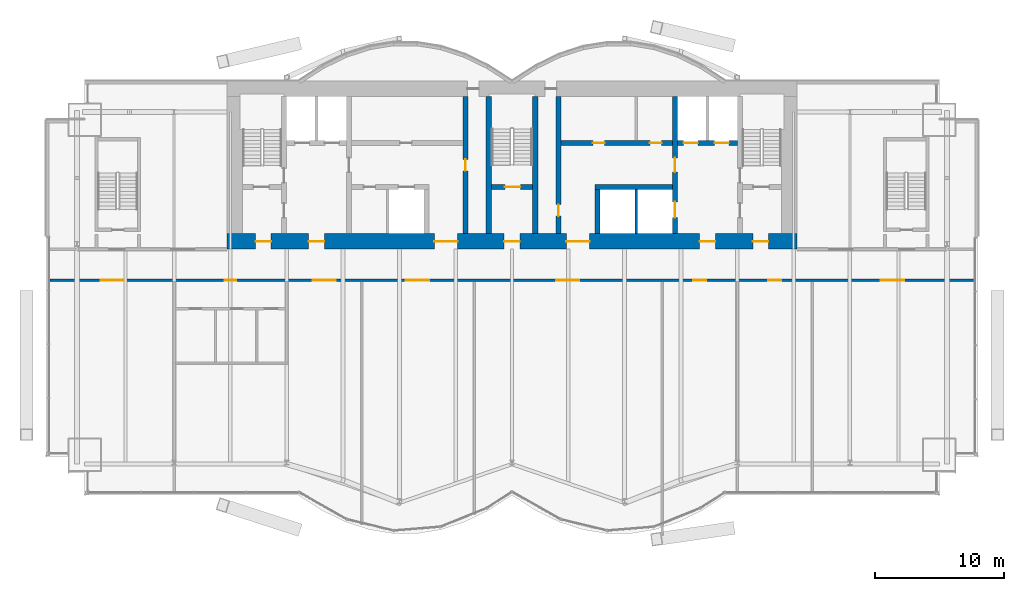
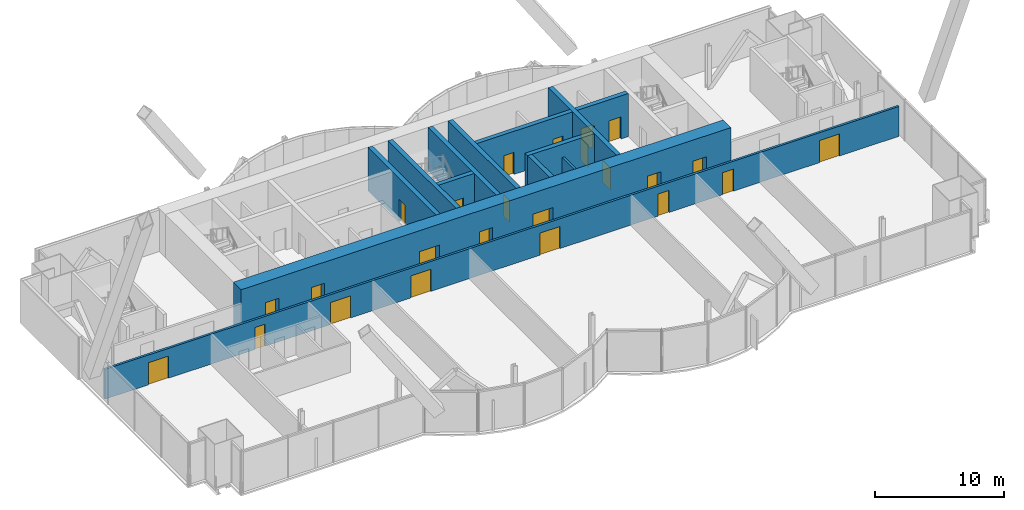
# One storey, part 19 of 24: 24 doors, 12 walls, 24 openings.
"""IFC4 building model written with IfcOpenShell, lengths in metres."""

from ifc_helpers import new_model, si_unit, direction, frame, frame_2d, origin, place, context, subcontext, project, spatial, rectangle, extrude, material, layer, layer_set, type_object, element, fill, save


model = new_model("IFC4")

# Units and contexts
model_context = context("Model", 3, precision=1e-05, world=origin(), true_north=direction((0.0, 1.0)))
body_context = subcontext(model_context, "Body", "Model", "MODEL_VIEW")
ifc_project = project(units=[si_unit("LENGTHUNIT", "METRE"), si_unit("AREAUNIT", "SQUARE_METRE"), si_unit("VOLUMEUNIT", "CUBIC_METRE"), si_unit("PLANEANGLEUNIT", "RADIAN"), si_unit("MASSUNIT", "GRAM", prefix="KILO")], contexts=[model_context])

# Site, building, storey
site_placement = place(None, origin())
site = spatial("IfcSite", under=ifc_project, at=site_placement, CompositionType="ELEMENT")
building_placement = place(site_placement, origin())
building = spatial("IfcBuilding", under=site, at=building_placement, Name="Bicima Exchange Tower", CompositionType="ELEMENT")
storey_placement = place(building_placement, frame((0.0, 0.0, 211.39990234375)))
storey = spatial("IfcBuildingStorey", under=building, at=storey_placement, Name="L47", CompositionType="ELEMENT", Elevation=211.39990234375)

# Wall
ifc_material_1 = material(Name="Gypsum board partition")
ifc_layer_1 = layer(ifc_material_1, 0.199951171875)
ifc_layer_set_1 = layer_set([ifc_layer_1], Name="Gypsum board partition")
wall_type_1 = type_object("IfcWallType", Name="Fire-rated gypsum partition 200 EI120", PredefinedType="PARTITIONING", material=ifc_layer_set_1)
wall_1_placement = place(storey_placement, frame((9.60009765625, -11.800048828125, 0.0), z_axis=(0.0, 0.0, 1.0), x_axis=(0.0, 1.0, 0.0)))
element("IfcWall", 1, at=wall_1_placement, inside=storey, type_object=wall_type_1, Name="partition wall 18", PredefinedType="PARTITIONING", context=body_context, shape_type="SweptSolid", body=[
    extrude(rectangle(XDim=3.400146484375, YDim=0.199951171875, at=frame_2d((1.7001953125, 0.0))), origin(), (0.0, 0.0, 1.0), 2.840576171875),
])

# Wall, openings, doors
ifc_layer_2 = layer(ifc_material_1, 0.199951171875)
ifc_layer_set_2 = layer_set([ifc_layer_2], Name="Gypsum board partition")
wall_type_2 = type_object("IfcWallType", Name="Fire-rated gypsum partition 200 EI60", PredefinedType="PARTITIONING", material=ifc_layer_set_2)
wall_2_placement = place(storey_placement, frame((-35.679931640625, -15.39990234375, 0.0), z_axis=(0.0, 0.0, 1.0), x_axis=(1.0, 0.0, 0.0)))
wall_2 = element("IfcWall", 2, at=wall_2_placement, inside=storey, type_object=wall_type_2, Name="partition wall 3", PredefinedType="PARTITIONING", context=body_context, shape_type="SweptSolid", body=[
    extrude(rectangle(XDim=71.35986328125, YDim=0.199951171875, at=frame_2d((35.679931640625, 0.0))), origin(), (0.0, 0.0, 1.0), 2.840576171875),
])
opening_1_placement = place(wall_2_placement, frame((3.89990234375, 0.0, 0.0)))
opening_1 = element("IfcOpeningElement", 3, at=opening_1_placement, cuts=wall_2, Name="Opening L47-007", PredefinedType="OPENING", context=body_context, shape_type="SweptSolid", body=[
    extrude(rectangle(XDim=1.800048828125, YDim=2.10009765625, at=frame_2d((0.89990234375, 1.050048828125))), frame((0.0, 0.11181640625, 0.0), z_axis=(0.0, -1.0, 0.0), x_axis=(1.0, 0.0, 0.0)), (0.0, 0.0, 1.0), 0.223876953125),
])
opening_2_placement = place(wall_2_placement, frame((13.47998046875, 0.0, 0.0)))
opening_2 = element("IfcOpeningElement", 4, at=opening_2_placement, cuts=wall_2, Name="Opening L47-008", PredefinedType="OPENING", context=body_context, shape_type="SweptSolid", body=[
    extrude(rectangle(XDim=0.89990234375, YDim=2.10009765625, at=frame_2d((0.449951171875, 1.050048828125))), frame((0.0, 0.11181640625, 0.0), z_axis=(0.0, -1.0, 0.0), x_axis=(1.0, 0.0, 0.0)), (0.0, 0.0, 1.0), 0.223876953125),
])
opening_3_placement = place(wall_2_placement, frame((20.280029296875, 0.0, 0.0)))
opening_3 = element("IfcOpeningElement", 5, at=opening_3_placement, cuts=wall_2, Name="Opening L47-012", PredefinedType="OPENING", context=body_context, shape_type="SweptSolid", body=[
    extrude(rectangle(XDim=1.800048828125, YDim=2.10009765625, at=frame_2d((0.89990234375, 1.050048828125))), frame((0.0, 0.11181640625, 0.0), z_axis=(0.0, -1.0, 0.0), x_axis=(1.0, 0.0, 0.0)), (0.0, 0.0, 1.0), 0.223876953125),
])
opening_4_placement = place(wall_2_placement, frame((27.47998046875, 0.0, 0.0)))
opening_4 = element("IfcOpeningElement", 6, at=opening_4_placement, cuts=wall_2, Name="Opening L47-013", PredefinedType="OPENING", context=body_context, shape_type="SweptSolid", body=[
    extrude(rectangle(XDim=1.800048828125, YDim=2.10009765625, at=frame_2d((0.89990234375, 1.050048828125))), frame((0.0, 0.11181640625, 0.0), z_axis=(0.0, -1.0, 0.0), x_axis=(1.0, 0.0, 0.0)), (0.0, 0.0, 1.0), 0.223876953125),
])
opening_5_placement = place(wall_2_placement, frame((39.080078125, 0.0, 0.0)))
opening_5 = element("IfcOpeningElement", 7, at=opening_5_placement, cuts=wall_2, Name="Opening L47-014", PredefinedType="OPENING", context=body_context, shape_type="SweptSolid", body=[
    extrude(rectangle(XDim=1.800048828125, YDim=2.10009765625, at=frame_2d((0.89990234375, 1.050048828125))), frame((0.0, 0.11181640625, 0.0), z_axis=(0.0, -1.0, 0.0), x_axis=(1.0, 0.0, 0.0)), (0.0, 0.0, 1.0), 0.223876953125),
])
opening_6_placement = place(wall_2_placement, frame((49.679931640625, 0.0, 0.0)))
opening_6 = element("IfcOpeningElement", 8, at=opening_6_placement, cuts=wall_2, Name="Opening L47-015", PredefinedType="OPENING", context=body_context, shape_type="SweptSolid", body=[
    extrude(rectangle(XDim=1.0, YDim=2.10009765625, at=frame_2d((0.5, 1.050048828125))), frame((0.0, 0.11181640625, 0.0), z_axis=(0.0, -1.0, 0.0), x_axis=(1.0, 0.0, 0.0)), (0.0, 0.0, 1.0), 0.223876953125),
])
opening_7_placement = place(wall_2_placement, frame((55.47998046875, 0.0, 0.0)))
opening_7 = element("IfcOpeningElement", 9, at=opening_7_placement, cuts=wall_2, Name="Opening L47-016", PredefinedType="OPENING", context=body_context, shape_type="SweptSolid", body=[
    extrude(rectangle(XDim=1.0, YDim=2.10009765625, at=frame_2d((0.5, 1.050048828125))), frame((0.0, 0.11181640625, 0.0), z_axis=(0.0, -1.0, 0.0), x_axis=(1.0, 0.0, 0.0)), (0.0, 0.0, 1.0), 0.223876953125),
])
opening_8_placement = place(wall_2_placement, frame((64.179931640625, 0.0, 0.0)))
opening_8 = element("IfcOpeningElement", 10, at=opening_8_placement, cuts=wall_2, Name="Opening L47-017", PredefinedType="OPENING", context=body_context, shape_type="SweptSolid", body=[
    extrude(rectangle(XDim=1.800048828125, YDim=2.10009765625, at=frame_2d((0.89990234375, 1.050048828125))), frame((0.0, 0.11181640625, 0.0), z_axis=(0.0, -1.0, 0.0), x_axis=(1.0, 0.0, 0.0)), (0.0, 0.0, 1.0), 0.223876953125),
])
ifc_material_2 = material(Name="Steel fire door leaf", Category="steel")
door_type_1 = type_object("IfcDoorType", Name="Door 1000 swing FD30S", OperationType="SINGLE_SWING_LEFT", PredefinedType="DOOR", material=ifc_material_2)
door_1_placement = place(opening_6_placement, frame((1.0, 0.0, 0.0), z_axis=(0.0, 0.0, 1.0), x_axis=(-1.0, 0.0, 0.0)))
door_1 = element("IfcDoor", 11, at=door_1_placement, inside=storey, type_object=door_type_1, Name="Door", OperationType="SINGLE_SWING_RIGHT", OverallHeight=2.10009765625, OverallWidth=1.0, PredefinedType="DOOR", context=body_context, shape_type="SweptSolid", body=[
    extrude(rectangle(XDim=1.0, YDim=2.10009765625, at=frame_2d((0.5, 1.050048828125))), frame((0.0, 0.02490234375, 0.0), z_axis=(0.0, -1.0, 0.0), x_axis=(1.0, 0.0, 0.0)), (0.0, 0.0, 1.0), 0.050048828125),
])
fill(opening_6, door_1)
door_2_placement = place(opening_7_placement, frame((1.0, 0.0, 0.0), z_axis=(0.0, 0.0, 1.0), x_axis=(-1.0, 0.0, 0.0)))
door_2 = element("IfcDoor", 12, at=door_2_placement, inside=storey, type_object=door_type_1, Name="Door", OperationType="SINGLE_SWING_LEFT", OverallHeight=2.10009765625, OverallWidth=1.0, PredefinedType="DOOR", context=body_context, shape_type="SweptSolid", body=[
    extrude(rectangle(XDim=1.0, YDim=2.10009765625, at=frame_2d((0.5, 1.050048828125))), frame((0.0, 0.02490234375, 0.0), z_axis=(0.0, -1.0, 0.0), x_axis=(1.0, 0.0, 0.0)), (0.0, 0.0, 1.0), 0.050048828125),
])
fill(opening_7, door_2)
door_type_2 = type_object("IfcDoorType", Name="Door 1800 double swing FD30S", OperationType="DOUBLE_DOOR_SINGLE_SWING", PredefinedType="DOOR", material=ifc_material_2)
door_3_placement = place(opening_1_placement, origin())
door_3 = element("IfcDoor", 13, at=door_3_placement, inside=storey, type_object=door_type_2, Name="Door", OperationType="SINGLE_SWING_LEFT", OverallHeight=2.10009765625, OverallWidth=1.800048828125, PredefinedType="DOOR", context=body_context, shape_type="SweptSolid", body=[
    extrude(rectangle(XDim=1.800048828125, YDim=2.10009765625, at=frame_2d((0.89990234375, 1.050048828125))), frame((0.0, 0.02490234375, 0.0), z_axis=(0.0, -1.0, 0.0), x_axis=(1.0, 0.0, 0.0)), (0.0, 0.0, 1.0), 0.050048828125),
])
fill(opening_1, door_3)
door_4_placement = place(opening_3_placement, origin())
door_4 = element("IfcDoor", 14, at=door_4_placement, inside=storey, type_object=door_type_2, Name="Door", OperationType="SINGLE_SWING_LEFT", OverallHeight=2.10009765625, OverallWidth=1.800048828125, PredefinedType="DOOR", context=body_context, shape_type="SweptSolid", body=[
    extrude(rectangle(XDim=1.800048828125, YDim=2.10009765625, at=frame_2d((0.89990234375, 1.050048828125))), frame((0.0, 0.02490234375, 0.0), z_axis=(0.0, -1.0, 0.0), x_axis=(1.0, 0.0, 0.0)), (0.0, 0.0, 1.0), 0.050048828125),
])
fill(opening_3, door_4)
door_5_placement = place(opening_4_placement, origin())
door_5 = element("IfcDoor", 15, at=door_5_placement, inside=storey, type_object=door_type_2, Name="Door", OperationType="SINGLE_SWING_LEFT", OverallHeight=2.10009765625, OverallWidth=1.800048828125, PredefinedType="DOOR", context=body_context, shape_type="SweptSolid", body=[
    extrude(rectangle(XDim=1.800048828125, YDim=2.10009765625, at=frame_2d((0.89990234375, 1.050048828125))), frame((0.0, 0.02490234375, 0.0), z_axis=(0.0, -1.0, 0.0), x_axis=(1.0, 0.0, 0.0)), (0.0, 0.0, 1.0), 0.050048828125),
])
fill(opening_4, door_5)
door_6_placement = place(opening_5_placement, origin())
door_6 = element("IfcDoor", 16, at=door_6_placement, inside=storey, type_object=door_type_2, Name="Door", OperationType="SINGLE_SWING_LEFT", OverallHeight=2.10009765625, OverallWidth=1.800048828125, PredefinedType="DOOR", context=body_context, shape_type="SweptSolid", body=[
    extrude(rectangle(XDim=1.800048828125, YDim=2.10009765625, at=frame_2d((0.89990234375, 1.050048828125))), frame((0.0, 0.02490234375, 0.0), z_axis=(0.0, -1.0, 0.0), x_axis=(1.0, 0.0, 0.0)), (0.0, 0.0, 1.0), 0.050048828125),
])
fill(opening_5, door_6)
door_7_placement = place(opening_8_placement, origin())
door_7 = element("IfcDoor", 17, at=door_7_placement, inside=storey, type_object=door_type_2, Name="Door", OperationType="SINGLE_SWING_LEFT", OverallHeight=2.10009765625, OverallWidth=1.800048828125, PredefinedType="DOOR", context=body_context, shape_type="SweptSolid", body=[
    extrude(rectangle(XDim=1.800048828125, YDim=2.10009765625, at=frame_2d((0.89990234375, 1.050048828125))), frame((0.0, 0.02490234375, 0.0), z_axis=(0.0, -1.0, 0.0), x_axis=(1.0, 0.0, 0.0)), (0.0, 0.0, 1.0), 0.050048828125),
])
fill(opening_8, door_7)
door_type_3 = type_object("IfcDoorType", Name="Door 900 swing FD30S", OperationType="SINGLE_SWING_LEFT", PredefinedType="DOOR", material=ifc_material_2)
door_8_placement = place(opening_2_placement, frame((0.89990234375, 0.0, 0.0), z_axis=(0.0, 0.0, 1.0), x_axis=(-1.0, 0.0, 0.0)))
door_8 = element("IfcDoor", 18, at=door_8_placement, inside=storey, type_object=door_type_3, Name="Door", OperationType="SINGLE_SWING_RIGHT", OverallHeight=2.10009765625, OverallWidth=0.89990234375, PredefinedType="DOOR", context=body_context, shape_type="SweptSolid", body=[
    extrude(rectangle(XDim=0.89990234375, YDim=2.10009765625, at=frame_2d((0.449951171875, 1.050048828125))), frame((0.0, 0.02490234375, 0.0), z_axis=(0.0, -1.0, 0.0), x_axis=(1.0, 0.0, 0.0)), (0.0, 0.0, 1.0), 0.050048828125),
])
fill(opening_2, door_8)

ifc_material_3 = material(Name="Concrete C50/60", Category="concrete")
ifc_layer_3 = layer(ifc_material_3, 1.199951171875)
ifc_layer_set_3 = layer_set([ifc_layer_3], Name="Concrete C50/60")
wall_type_3 = type_object("IfcWallType", Name="RC core wall 1200 C50/60", PredefinedType="SHEAR", material=ifc_layer_set_3)
wall_3_placement = place(storey_placement, frame((-22.0, -12.39990234375, 0.0), z_axis=(0.0, 0.0, 1.0), x_axis=(1.0, 0.0, 0.0)))
wall_3 = element("IfcWall", 19, at=wall_3_placement, inside=storey, type_object=wall_type_3, Name="Core wall south", PredefinedType="SHEAR", context=body_context, shape_type="SweptSolid", body=[
    extrude(rectangle(XDim=44.0, YDim=1.199951171875, at=frame_2d((22.0, 0.0))), origin(), (0.0, 0.0, 1.0), 4.10009765625),
])
opening_9_placement = place(wall_3_placement, frame((2.199951171875, 0.0, 0.0)))
opening_9 = element("IfcOpeningElement", 20, at=opening_9_placement, cuts=wall_3, Name="Opening L47-C18", PredefinedType="OPENING", context=body_context, shape_type="SweptSolid", body=[
    extrude(rectangle(XDim=1.199951171875, YDim=2.10009765625, at=frame_2d((0.60009765625, 1.050048828125))), frame((0.0, 0.61181640625, 0.0), z_axis=(0.0, -1.0, 0.0), x_axis=(1.0, 0.0, 0.0)), (0.0, 0.0, 1.0), 1.223876953125),
])
opening_10_placement = place(wall_3_placement, frame((21.39990234375, 0.0, 0.0)))
opening_10 = element("IfcOpeningElement", 21, at=opening_10_placement, cuts=wall_3, Name="Opening L47-C19", PredefinedType="OPENING", context=body_context, shape_type="SweptSolid", body=[
    extrude(rectangle(XDim=1.199951171875, YDim=2.10009765625, at=frame_2d((0.60009765625, 1.050048828125))), frame((0.0, 0.61181640625, 0.0), z_axis=(0.0, -1.0, 0.0), x_axis=(1.0, 0.0, 0.0)), (0.0, 0.0, 1.0), 1.223876953125),
])
opening_11_placement = place(wall_3_placement, frame((40.60009765625, 0.0, 0.0)))
opening_11 = element("IfcOpeningElement", 22, at=opening_11_placement, cuts=wall_3, Name="Opening L47-C20", PredefinedType="OPENING", context=body_context, shape_type="SweptSolid", body=[
    extrude(rectangle(XDim=1.199951171875, YDim=2.10009765625, at=frame_2d((0.60009765625, 1.050048828125))), frame((0.0, 0.61181640625, 0.0), z_axis=(0.0, -1.0, 0.0), x_axis=(1.0, 0.0, 0.0)), (0.0, 0.0, 1.0), 1.223876953125),
])
opening_12_placement = place(wall_3_placement, frame((16.0, 0.0, 0.0)))
opening_12 = element("IfcOpeningElement", 23, at=opening_12_placement, cuts=wall_3, Name="Opening L47-C21", PredefinedType="OPENING", context=body_context, shape_type="SweptSolid", body=[
    extrude(rectangle(XDim=1.800048828125, YDim=2.10009765625, at=frame_2d((0.89990234375, 1.050048828125))), frame((0.0, 0.61181640625, 0.0), z_axis=(0.0, -1.0, 0.0), x_axis=(1.0, 0.0, 0.0)), (0.0, 0.0, 1.0), 1.223876953125),
])
opening_13_placement = place(wall_3_placement, frame((6.300048828125, 0.0, 0.0)))
opening_13 = element("IfcOpeningElement", 24, at=opening_13_placement, cuts=wall_3, Name="Opening L47-C22", PredefinedType="OPENING", context=body_context, shape_type="SweptSolid", body=[
    extrude(rectangle(XDim=1.199951171875, YDim=2.10009765625, at=frame_2d((0.60009765625, 1.050048828125))), frame((0.0, 0.61181640625, 0.0), z_axis=(0.0, -1.0, 0.0), x_axis=(1.0, 0.0, 0.0)), (0.0, 0.0, 1.0), 1.223876953125),
])
opening_14_placement = place(wall_3_placement, frame((26.199951171875, 0.0, 0.0)))
opening_14 = element("IfcOpeningElement", 25, at=opening_14_placement, cuts=wall_3, Name="Opening L47-C23", PredefinedType="OPENING", context=body_context, shape_type="SweptSolid", body=[
    extrude(rectangle(XDim=1.800048828125, YDim=2.10009765625, at=frame_2d((0.89990234375, 1.050048828125))), frame((0.0, 0.61181640625, 0.0), z_axis=(0.0, -1.0, 0.0), x_axis=(1.0, 0.0, 0.0)), (0.0, 0.0, 1.0), 1.223876953125),
])
opening_15_placement = place(wall_3_placement, frame((36.5, 0.0, 0.0)))
opening_15 = element("IfcOpeningElement", 26, at=opening_15_placement, cuts=wall_3, Name="Opening L47-C24", PredefinedType="OPENING", context=body_context, shape_type="SweptSolid", body=[
    extrude(rectangle(XDim=1.199951171875, YDim=2.10009765625, at=frame_2d((0.60009765625, 1.050048828125))), frame((0.0, 0.61181640625, 0.0), z_axis=(0.0, -1.0, 0.0), x_axis=(1.0, 0.0, 0.0)), (0.0, 0.0, 1.0), 1.223876953125),
])
door_type_4 = type_object("IfcDoorType", Name="Door 1200 swing FD60S", OperationType="SINGLE_SWING_LEFT", PredefinedType="DOOR", material=ifc_material_2)
door_9_placement = place(opening_9_placement, frame((1.199951171875, 0.0, 0.0), z_axis=(0.0, 0.0, 1.0), x_axis=(-1.0, 0.0, 0.0)))
door_9 = element("IfcDoor", 27, at=door_9_placement, inside=storey, type_object=door_type_4, Name="Core door", OperationType="SINGLE_SWING_RIGHT", OverallHeight=2.10009765625, OverallWidth=1.199951171875, PredefinedType="DOOR", context=body_context, shape_type="SweptSolid", body=[
    extrude(rectangle(XDim=1.199951171875, YDim=2.10009765625, at=frame_2d((0.60009765625, 1.050048828125))), frame((0.0, 0.02490234375, 0.0), z_axis=(0.0, -1.0, 0.0), x_axis=(1.0, 0.0, 0.0)), (0.0, 0.0, 1.0), 0.050048828125),
])
fill(opening_9, door_9)
door_10_placement = place(opening_10_placement, frame((1.199951171875, 0.0, 0.0), z_axis=(0.0, 0.0, 1.0), x_axis=(-1.0, 0.0, 0.0)))
door_10 = element("IfcDoor", 28, at=door_10_placement, inside=storey, type_object=door_type_4, Name="Core door", OperationType="SINGLE_SWING_RIGHT", OverallHeight=2.10009765625, OverallWidth=1.199951171875, PredefinedType="DOOR", context=body_context, shape_type="SweptSolid", body=[
    extrude(rectangle(XDim=1.199951171875, YDim=2.10009765625, at=frame_2d((0.60009765625, 1.050048828125))), frame((0.0, 0.02490234375, 0.0), z_axis=(0.0, -1.0, 0.0), x_axis=(1.0, 0.0, 0.0)), (0.0, 0.0, 1.0), 0.050048828125),
])
fill(opening_10, door_10)
door_11_placement = place(opening_11_placement, frame((1.199951171875, 0.0, 0.0), z_axis=(0.0, 0.0, 1.0), x_axis=(-1.0, 0.0, 0.0)))
door_11 = element("IfcDoor", 29, at=door_11_placement, inside=storey, type_object=door_type_4, Name="Core door", OperationType="SINGLE_SWING_RIGHT", OverallHeight=2.10009765625, OverallWidth=1.199951171875, PredefinedType="DOOR", context=body_context, shape_type="SweptSolid", body=[
    extrude(rectangle(XDim=1.199951171875, YDim=2.10009765625, at=frame_2d((0.60009765625, 1.050048828125))), frame((0.0, 0.02490234375, 0.0), z_axis=(0.0, -1.0, 0.0), x_axis=(1.0, 0.0, 0.0)), (0.0, 0.0, 1.0), 0.050048828125),
])
fill(opening_11, door_11)
door_12_placement = place(opening_13_placement, frame((1.199951171875, 0.0, 0.0), z_axis=(0.0, 0.0, 1.0), x_axis=(-1.0, 0.0, 0.0)))
door_12 = element("IfcDoor", 30, at=door_12_placement, inside=storey, type_object=door_type_4, Name="Core door", OperationType="SINGLE_SWING_RIGHT", OverallHeight=2.10009765625, OverallWidth=1.199951171875, PredefinedType="DOOR", context=body_context, shape_type="SweptSolid", body=[
    extrude(rectangle(XDim=1.199951171875, YDim=2.10009765625, at=frame_2d((0.60009765625, 1.050048828125))), frame((0.0, 0.02490234375, 0.0), z_axis=(0.0, -1.0, 0.0), x_axis=(1.0, 0.0, 0.0)), (0.0, 0.0, 1.0), 0.050048828125),
])
fill(opening_13, door_12)
door_13_placement = place(opening_15_placement, frame((1.199951171875, 0.0, 0.0), z_axis=(0.0, 0.0, 1.0), x_axis=(-1.0, 0.0, 0.0)))
door_13 = element("IfcDoor", 31, at=door_13_placement, inside=storey, type_object=door_type_4, Name="Core door", OperationType="SINGLE_SWING_RIGHT", OverallHeight=2.10009765625, OverallWidth=1.199951171875, PredefinedType="DOOR", context=body_context, shape_type="SweptSolid", body=[
    extrude(rectangle(XDim=1.199951171875, YDim=2.10009765625, at=frame_2d((0.60009765625, 1.050048828125))), frame((0.0, 0.02490234375, 0.0), z_axis=(0.0, -1.0, 0.0), x_axis=(1.0, 0.0, 0.0)), (0.0, 0.0, 1.0), 0.050048828125),
])
fill(opening_15, door_13)
door_14_placement = place(opening_12_placement, origin())
door_14 = element("IfcDoor", 32, at=door_14_placement, inside=storey, type_object=door_type_2, Name="Core door", OperationType="SINGLE_SWING_LEFT", OverallHeight=2.10009765625, OverallWidth=1.800048828125, PredefinedType="DOOR", context=body_context, shape_type="SweptSolid", body=[
    extrude(rectangle(XDim=1.800048828125, YDim=2.10009765625, at=frame_2d((0.89990234375, 1.050048828125))), frame((0.0, 0.02490234375, 0.0), z_axis=(0.0, -1.0, 0.0), x_axis=(1.0, 0.0, 0.0)), (0.0, 0.0, 1.0), 0.050048828125),
])
fill(opening_12, door_14)
door_15_placement = place(opening_14_placement, origin())
door_15 = element("IfcDoor", 33, at=door_15_placement, inside=storey, type_object=door_type_2, Name="Core door", OperationType="SINGLE_SWING_LEFT", OverallHeight=2.10009765625, OverallWidth=1.800048828125, PredefinedType="DOOR", context=body_context, shape_type="SweptSolid", body=[
    extrude(rectangle(XDim=1.800048828125, YDim=2.10009765625, at=frame_2d((0.89990234375, 1.050048828125))), frame((0.0, 0.02490234375, 0.0), z_axis=(0.0, -1.0, 0.0), x_axis=(1.0, 0.0, 0.0)), (0.0, 0.0, 1.0), 0.050048828125),
])
fill(opening_14, door_15)

# Wall, opening, door
ifc_layer_4 = layer(ifc_material_3, 0.39990234375)
ifc_layer_set_4 = layer_set([ifc_layer_4], Name="Concrete C50/60")
wall_type_4 = type_object("IfcWallType", Name="RC core wall 400 C50/60", PredefinedType="SHEAR", material=ifc_layer_set_4)
wall_4_placement = place(storey_placement, frame((-1.60009765625, -8.199951171875, 0.0), z_axis=(0.0, 0.0, 1.0), x_axis=(1.0, 0.0, 0.0)))
wall_4 = element("IfcWall", 34, at=wall_4_placement, inside=storey, type_object=wall_type_4, Name="stair wall 3", PredefinedType="SHEAR", context=body_context, shape_type="SweptSolid", body=[
    extrude(rectangle(XDim=3.2001953125, YDim=0.39990234375, at=frame_2d((1.60009765625, 0.0))), origin(), (0.0, 0.0, 1.0), 4.10009765625),
])
opening_16_placement = place(wall_4_placement, frame((1.050048828125, 0.0, 0.0)))
opening_16 = element("IfcOpeningElement", 35, at=opening_16_placement, cuts=wall_4, Name="Opening L47-C03", PredefinedType="OPENING", context=body_context, shape_type="SweptSolid", body=[
    extrude(rectangle(XDim=1.199951171875, YDim=2.10009765625, at=frame_2d((0.60009765625, 1.050048828125))), frame((0.0, 0.2119140625, 0.0), z_axis=(0.0, -1.0, 0.0), x_axis=(1.0, 0.0, 0.0)), (0.0, 0.0, 1.0), 0.423828125),
])
door_16_placement = place(opening_16_placement, origin())
door_16 = element("IfcDoor", 36, at=door_16_placement, inside=storey, type_object=door_type_4, Name="Core door", OperationType="SINGLE_SWING_LEFT", OverallHeight=2.10009765625, OverallWidth=1.199951171875, PredefinedType="DOOR", context=body_context, shape_type="SweptSolid", body=[
    extrude(rectangle(XDim=1.199951171875, YDim=2.10009765625, at=frame_2d((0.60009765625, 1.050048828125))), frame((0.0, 0.02490234375, 0.0), z_axis=(0.0, -1.0, 0.0), x_axis=(1.0, 0.0, 0.0)), (0.0, 0.0, 1.0), 0.050048828125),
])
fill(opening_16, door_16)

# Wall
wall_5_placement = place(storey_placement, frame((6.39990234375, -8.199951171875, 0.0), z_axis=(0.0, 0.0, 1.0), x_axis=(1.0, 0.0, 0.0)))
element("IfcWall", 37, at=wall_5_placement, inside=storey, type_object=wall_type_4, Name="shear wall 4", PredefinedType="SHEAR", context=body_context, shape_type="SweptSolid", body=[
    extrude(rectangle(XDim=6.0, YDim=0.39990234375, at=frame_2d((3.0, 0.0))), origin(), (0.0, 0.0, 1.0), 4.10009765625),
])

# Wall, openings, doors
wall_6_placement = place(storey_placement, frame((3.800048828125, -4.800048828125, 0.0), z_axis=(0.0, 0.0, 1.0), x_axis=(1.0, 0.0, 0.0)))
wall_6 = element("IfcWall", 38, at=wall_6_placement, inside=storey, type_object=wall_type_4, Name="shear wall 7", PredefinedType="SHEAR", context=body_context, shape_type="SweptSolid", body=[
    extrude(rectangle(XDim=13.599853515625, YDim=0.39990234375, at=frame_2d((6.7998046875, 0.0))), origin(), (0.0, 0.0, 1.0), 4.10009765625),
])
opening_17_placement = place(wall_6_placement, frame((9.449951171875, 0.0, 0.0)))
opening_17 = element("IfcOpeningElement", 39, at=opening_17_placement, cuts=wall_6, Name="Opening LD-FF2-L47", PredefinedType="OPENING", context=body_context, shape_type="SweptSolid", body=[
    extrude(rectangle(XDim=1.10009765625, YDim=2.10009765625, at=frame_2d((0.550048828125, 1.050048828125))), frame((0.0, 0.2119140625, 0.0), z_axis=(0.0, -1.0, 0.0), x_axis=(1.0, 0.0, 0.0)), (0.0, 0.0, 1.0), 0.423828125),
])
opening_18_placement = place(wall_6_placement, frame((11.85009765625, 0.0, 0.0)))
opening_18 = element("IfcOpeningElement", 40, at=opening_18_placement, cuts=wall_6, Name="Opening LD-SV1-L47", PredefinedType="OPENING", context=body_context, shape_type="SweptSolid", body=[
    extrude(rectangle(XDim=1.10009765625, YDim=2.10009765625, at=frame_2d((0.550048828125, 1.050048828125))), frame((0.0, 0.2119140625, 0.0), z_axis=(0.0, -1.0, 0.0), x_axis=(1.0, 0.0, 0.0)), (0.0, 0.0, 1.0), 0.423828125),
])
opening_19_placement = place(wall_6_placement, frame((2.449951171875, 0.0, 0.0)))
opening_19 = element("IfcOpeningElement", 41, at=opening_19_placement, cuts=wall_6, Name="Opening L47-C13", PredefinedType="OPENING", context=body_context, shape_type="SweptSolid", body=[
    extrude(rectangle(XDim=0.89990234375, YDim=2.10009765625, at=frame_2d((0.449951171875, 1.050048828125))), frame((0.0, 0.2119140625, 0.0), z_axis=(0.0, -1.0, 0.0), x_axis=(1.0, 0.0, 0.0)), (0.0, 0.0, 1.0), 0.423828125),
])
opening_20_placement = place(wall_6_placement, frame((6.85009765625, 0.0, 0.0)))
opening_20 = element("IfcOpeningElement", 42, at=opening_20_placement, cuts=wall_6, Name="Opening L47-C14", PredefinedType="OPENING", context=body_context, shape_type="SweptSolid", body=[
    extrude(rectangle(XDim=0.89990234375, YDim=2.10009765625, at=frame_2d((0.449951171875, 1.050048828125))), frame((0.0, 0.2119140625, 0.0), z_axis=(0.0, -1.0, 0.0), x_axis=(1.0, 0.0, 0.0)), (0.0, 0.0, 1.0), 0.423828125),
])
door_17_placement = place(opening_19_placement, origin())
door_17 = element("IfcDoor", 43, at=door_17_placement, inside=storey, type_object=door_type_3, Name="Core door", OperationType="SINGLE_SWING_LEFT", OverallHeight=2.10009765625, OverallWidth=0.89990234375, PredefinedType="DOOR", context=body_context, shape_type="SweptSolid", body=[
    extrude(rectangle(XDim=0.89990234375, YDim=2.10009765625, at=frame_2d((0.449951171875, 1.050048828125))), frame((0.0, 0.02490234375, 0.0), z_axis=(0.0, -1.0, 0.0), x_axis=(1.0, 0.0, 0.0)), (0.0, 0.0, 1.0), 0.050048828125),
])
fill(opening_19, door_17)
door_18_placement = place(opening_20_placement, origin())
door_18 = element("IfcDoor", 44, at=door_18_placement, inside=storey, type_object=door_type_3, Name="Core door", OperationType="SINGLE_SWING_RIGHT", OverallHeight=2.10009765625, OverallWidth=0.89990234375, PredefinedType="DOOR", context=body_context, shape_type="SweptSolid", body=[
    extrude(rectangle(XDim=0.89990234375, YDim=2.10009765625, at=frame_2d((0.449951171875, 1.050048828125))), frame((0.0, 0.02490234375, 0.0), z_axis=(0.0, -1.0, 0.0), x_axis=(1.0, 0.0, 0.0)), (0.0, 0.0, 1.0), 0.050048828125),
])
fill(opening_20, door_18)
ifc_material_4 = material(Name="Stainless steel", Category="steel")
door_type_5 = type_object("IfcDoorType", Name="Lift landing door 1100 sliding", OperationType="DOUBLE_DOOR_SLIDING", PredefinedType="DOOR", material=ifc_material_4)
door_19_placement = place(opening_17_placement, origin())
door_19 = element("IfcDoor", 45, at=door_19_placement, inside=storey, type_object=door_type_5, Name="Lift landing door FF2", OperationType="DOUBLE_DOOR_SLIDING", OverallHeight=2.10009765625, OverallWidth=1.10009765625, PredefinedType="DOOR", context=body_context, shape_type="SweptSolid", body=[
    extrude(rectangle(XDim=1.10009765625, YDim=2.10009765625, at=frame_2d((0.550048828125, 1.050048828125))), frame((0.0, 0.02490234375, 0.0), z_axis=(0.0, -1.0, 0.0), x_axis=(1.0, 0.0, 0.0)), (0.0, 0.0, 1.0), 0.050048828125),
])
fill(opening_17, door_19)
door_20_placement = place(opening_18_placement, origin())
door_20 = element("IfcDoor", 46, at=door_20_placement, inside=storey, type_object=door_type_5, Name="Lift landing door SV1", OperationType="DOUBLE_DOOR_SLIDING", OverallHeight=2.10009765625, OverallWidth=1.10009765625, PredefinedType="DOOR", context=body_context, shape_type="SweptSolid", body=[
    extrude(rectangle(XDim=1.10009765625, YDim=2.10009765625, at=frame_2d((0.550048828125, 1.050048828125))), frame((0.0, 0.02490234375, 0.0), z_axis=(0.0, -1.0, 0.0), x_axis=(1.0, 0.0, 0.0)), (0.0, 0.0, 1.0), 0.050048828125),
])
fill(opening_18, door_20)

# Wall, opening, door
wall_7_placement = place(storey_placement, frame((-3.60009765625, -11.800048828125, 0.0), z_axis=(0.0, 0.0, 1.0), x_axis=(0.0, 1.0, 0.0)))
wall_7 = element("IfcWall", 47, at=wall_7_placement, inside=storey, type_object=wall_type_4, Name="shear wall 13", PredefinedType="SHEAR", context=body_context, shape_type="SweptSolid", body=[
    extrude(rectangle(XDim=10.60009765625, YDim=0.39990234375, at=frame_2d((5.300048828125, 0.0))), origin(), (0.0, 0.0, 1.0), 4.10009765625),
])
opening_21_placement = place(wall_7_placement, frame((4.85009765625, 0.0, 0.0)))
opening_21 = element("IfcOpeningElement", 48, at=opening_21_placement, cuts=wall_7, Name="Opening L47-C10", PredefinedType="OPENING", context=body_context, shape_type="SweptSolid", body=[
    extrude(rectangle(XDim=0.89990234375, YDim=2.10009765625, at=frame_2d((0.449951171875, 1.050048828125))), frame((0.0, 0.2119140625, 0.0), z_axis=(0.0, -1.0, 0.0), x_axis=(1.0, 0.0, 0.0)), (0.0, 0.0, 1.0), 0.423828125),
])
door_21_placement = place(opening_21_placement, frame((0.89990234375, 0.0, 0.0), z_axis=(0.0, 0.0, 1.0), x_axis=(-1.0, 0.0, 0.0)))
door_21 = element("IfcDoor", 49, at=door_21_placement, inside=storey, type_object=door_type_3, Name="Core door", OperationType="SINGLE_SWING_LEFT", OverallHeight=2.10009765625, OverallWidth=0.89990234375, PredefinedType="DOOR", context=body_context, shape_type="SweptSolid", body=[
    extrude(rectangle(XDim=0.89990234375, YDim=2.10009765625, at=frame_2d((0.449951171875, 1.050048828125))), frame((0.0, 0.02490234375, 0.0), z_axis=(0.0, -1.0, 0.0), x_axis=(1.0, 0.0, 0.0)), (0.0, 0.0, 1.0), 0.050048828125),
])
fill(opening_21, door_21)

# Walls
for number, where, z_axis, x_axis, name in (
    (50, (-1.800048828125, -11.800048828125, 0.0), (0.0, 0.0, 1.0), (0.0, 1.0, 0.0), "stair wall 14"),
    (51, (1.800048828125, -11.800048828125, 0.0), (0.0, 0.0, 1.0), (0.0, 1.0, 0.0), "stair wall 15"),
):
    element("IfcWall", number, at=place(storey_placement, frame(where, z_axis=z_axis, x_axis=x_axis)), inside=storey, type_object=wall_type_4, Name=name, PredefinedType="SHEAR", context=body_context, shape_type="SweptSolid", body=[
        extrude(rectangle(XDim=10.60009765625, YDim=0.39990234375, at=frame_2d((5.300048828125, 0.0))), origin(), (0.0, 0.0, 1.0), 4.10009765625),
    ])

# Wall, opening, door
wall_8_placement = place(storey_placement, frame((3.60009765625, -11.800048828125, 0.0), z_axis=(0.0, 0.0, 1.0), x_axis=(0.0, 1.0, 0.0)))
wall_8 = element("IfcWall", 52, at=wall_8_placement, inside=storey, type_object=wall_type_4, Name="shear wall 16", PredefinedType="SHEAR", context=body_context, shape_type="SweptSolid", body=[
    extrude(rectangle(XDim=10.60009765625, YDim=0.39990234375, at=frame_2d((5.300048828125, 0.0))), origin(), (0.0, 0.0, 1.0), 4.10009765625),
])
opening_22_placement = place(wall_8_placement, frame((1.35009765625, 0.0, 0.0)))
opening_22 = element("IfcOpeningElement", 53, at=opening_22_placement, cuts=wall_8, Name="Opening L47-C11", PredefinedType="OPENING", context=body_context, shape_type="SweptSolid", body=[
    extrude(rectangle(XDim=0.89990234375, YDim=2.10009765625, at=frame_2d((0.449951171875, 1.050048828125))), frame((0.0, 0.2119140625, 0.0), z_axis=(0.0, -1.0, 0.0), x_axis=(1.0, 0.0, 0.0)), (0.0, 0.0, 1.0), 0.423828125),
])
door_22_placement = place(opening_22_placement, origin())
door_22 = element("IfcDoor", 54, at=door_22_placement, inside=storey, type_object=door_type_3, Name="Core door", OperationType="SINGLE_SWING_LEFT", OverallHeight=2.10009765625, OverallWidth=0.89990234375, PredefinedType="DOOR", context=body_context, shape_type="SweptSolid", body=[
    extrude(rectangle(XDim=0.89990234375, YDim=2.10009765625, at=frame_2d((0.449951171875, 1.050048828125))), frame((0.0, 0.02490234375, 0.0), z_axis=(0.0, -1.0, 0.0), x_axis=(1.0, 0.0, 0.0)), (0.0, 0.0, 1.0), 0.050048828125),
])
fill(opening_22, door_22)

# Wall
wall_9_placement = place(storey_placement, frame((6.60009765625, -11.800048828125, 0.0), z_axis=(0.0, 0.0, 1.0), x_axis=(0.0, 1.0, 0.0)))
element("IfcWall", 55, at=wall_9_placement, inside=storey, type_object=wall_type_4, Name="shear wall 17", PredefinedType="SHEAR", context=body_context, shape_type="SweptSolid", body=[
    extrude(rectangle(XDim=3.400146484375, YDim=0.39990234375, at=frame_2d((1.7001953125, 0.0))), origin(), (0.0, 0.0, 1.0), 4.10009765625),
])

# Wall, openings, doors
wall_10_placement = place(storey_placement, frame((12.60009765625, -11.800048828125, 0.0), z_axis=(0.0, 0.0, 1.0), x_axis=(0.0, 1.0, 0.0)))
wall_10 = element("IfcWall", 56, at=wall_10_placement, inside=storey, type_object=wall_type_4, Name="shear wall 20", PredefinedType="SHEAR", context=body_context, shape_type="SweptSolid", body=[
    extrude(rectangle(XDim=10.60009765625, YDim=0.39990234375, at=frame_2d((5.300048828125, 0.0))), origin(), (0.0, 0.0, 1.0), 4.10009765625),
])
opening_23_placement = place(wall_10_placement, frame((1.25, 0.0, 0.0)))
opening_23 = element("IfcOpeningElement", 57, at=opening_23_placement, cuts=wall_10, Name="Opening LD-MB2-L47", PredefinedType="OPENING", context=body_context, shape_type="SweptSolid", body=[
    extrude(rectangle(XDim=1.199951171875, YDim=2.10009765625, at=frame_2d((0.60009765625, 1.050048828125))), frame((0.0, 0.2119140625, 0.0), z_axis=(0.0, -1.0, 0.0), x_axis=(1.0, 0.0, 0.0)), (0.0, 0.0, 1.0), 0.423828125),
])
opening_24_placement = place(wall_10_placement, frame((4.75, 0.0, 0.0)))
opening_24 = element("IfcOpeningElement", 58, at=opening_24_placement, cuts=wall_10, Name="Opening L47-C09", PredefinedType="OPENING", context=body_context, shape_type="SweptSolid", body=[
    extrude(rectangle(XDim=1.10009765625, YDim=2.10009765625, at=frame_2d((0.550048828125, 1.050048828125))), frame((0.0, 0.2119140625, 0.0), z_axis=(0.0, -1.0, 0.0), x_axis=(1.0, 0.0, 0.0)), (0.0, 0.0, 1.0), 0.423828125),
])
door_type_6 = type_object("IfcDoorType", Name="Door 1100 swing FD60S", OperationType="SINGLE_SWING_LEFT", PredefinedType="DOOR", material=ifc_material_2)
door_23_placement = place(opening_24_placement, frame((1.10009765625, 0.0, 0.0), z_axis=(0.0, 0.0, 1.0), x_axis=(-1.0, 0.0, 0.0)))
door_23 = element("IfcDoor", 59, at=door_23_placement, inside=storey, type_object=door_type_6, Name="Core door", OperationType="SINGLE_SWING_RIGHT", OverallHeight=2.10009765625, OverallWidth=1.10009765625, PredefinedType="DOOR", context=body_context, shape_type="SweptSolid", body=[
    extrude(rectangle(XDim=1.10009765625, YDim=2.10009765625, at=frame_2d((0.550048828125, 1.050048828125))), frame((0.0, 0.02490234375, 0.0), z_axis=(0.0, -1.0, 0.0), x_axis=(1.0, 0.0, 0.0)), (0.0, 0.0, 1.0), 0.050048828125),
])
fill(opening_24, door_23)
door_type_7 = type_object("IfcDoorType", Name="Lift landing door 1200 sliding", OperationType="DOUBLE_DOOR_SLIDING", PredefinedType="DOOR", material=ifc_material_4)
door_24_placement = place(opening_23_placement, origin())
door_24 = element("IfcDoor", 60, at=door_24_placement, inside=storey, type_object=door_type_7, Name="Lift landing door MB2", OperationType="DOUBLE_DOOR_SLIDING", OverallHeight=2.10009765625, OverallWidth=1.199951171875, PredefinedType="DOOR", context=body_context, shape_type="SweptSolid", body=[
    extrude(rectangle(XDim=1.199951171875, YDim=2.10009765625, at=frame_2d((0.60009765625, 1.050048828125))), frame((0.0, 0.02490234375, 0.0), z_axis=(0.0, -1.0, 0.0), x_axis=(1.0, 0.0, 0.0)), (0.0, 0.0, 1.0), 0.050048828125),
])
fill(opening_23, door_24)

save(model, "model.ifc")
